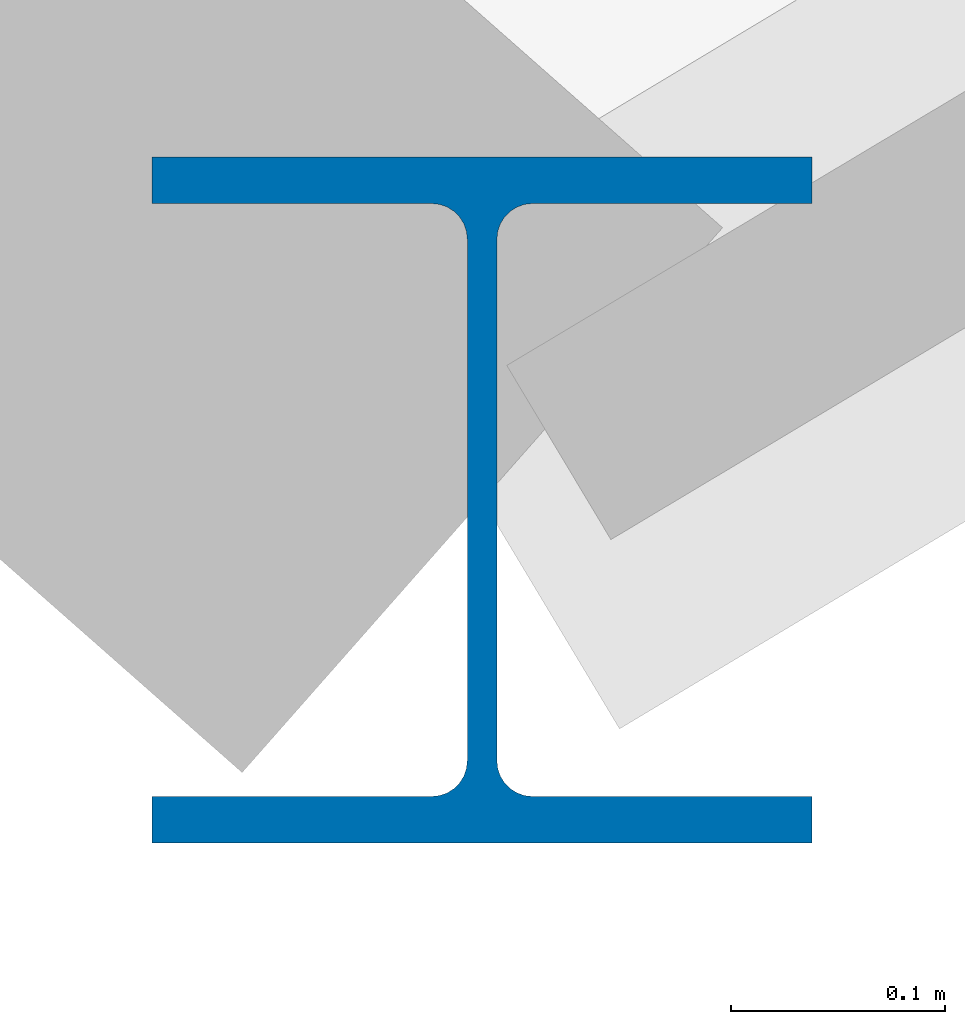
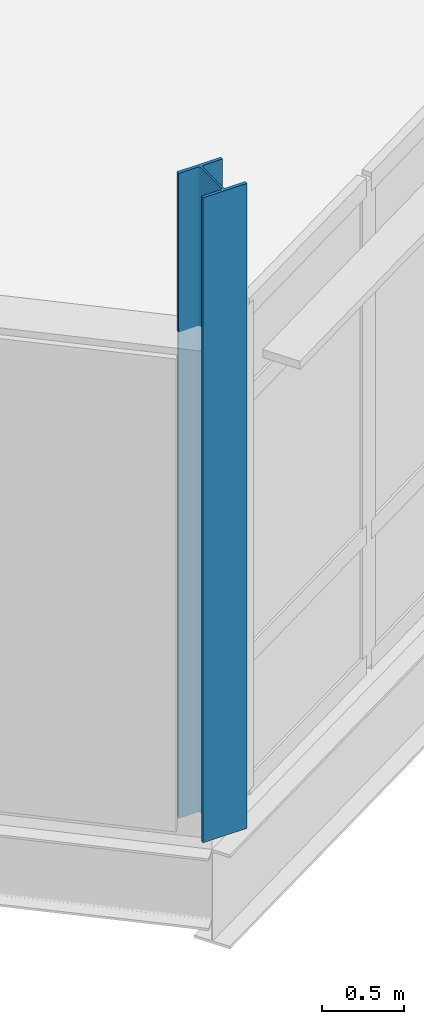
# One storey, part 6 of 76: 1 column.
"""IFC4 building model written with IfcOpenShell, lengths in metres."""

from ifc_helpers import new_model, si_unit, direction, frame, origin, origin_2d, place, context, subcontext, project, spatial, i_section, extrude, material, material_profile, profile_set, type_object, element, save


model = new_model("IFC4")

# Units and contexts
model_context = context("Model", 3, precision=1e-05, world=origin(), true_north=direction((0.0, 1.0)))
body_context = subcontext(model_context, "Body", "Model", "MODEL_VIEW")
ifc_project = project(units=[si_unit("LENGTHUNIT", "METRE"), si_unit("AREAUNIT", "SQUARE_METRE"), si_unit("VOLUMEUNIT", "CUBIC_METRE"), si_unit("PLANEANGLEUNIT", "RADIAN"), si_unit("MASSUNIT", "GRAM", prefix="KILO")], contexts=[model_context])

# Site, building, storey
site_placement = place(None, origin())
site = spatial("IfcSite", under=ifc_project, at=site_placement, CompositionType="ELEMENT")
building_placement = place(site_placement, origin())
building = spatial("IfcBuilding", under=site, at=building_placement, Name="Tameran Prism Museum", CompositionType="ELEMENT")
storey_placement = place(building_placement, frame((0.0, 0.0, 15.0)))
storey = spatial("IfcBuildingStorey", under=building, at=storey_placement, Name="L03", CompositionType="ELEMENT", Elevation=15.0)

# Column
ifc_material = material(Name="Steel Grade 350 (350 MPa)", Category="steel")
ifc_material_profile = material_profile(ifc_material, i_section(OverallWidth=0.30908203125, OverallDepth=0.321044921875, WebThickness=0.013916015625, FlangeThickness=0.021728515625, FilletRadius=0.0166015625, at=origin_2d()))
ifc_profile_set = profile_set([ifc_material_profile])
column_type = type_object("IfcColumnType", Name="COL-UC310B", PredefinedType="COLUMN", material=ifc_profile_set)
column_placement = place(storey_placement, frame((125.5, 63.89990234375, 0.0), z_axis=(0.0, 0.0, 1.0), x_axis=(1.0, 0.0, 0.0)))
element("IfcColumn", 1, at=column_placement, inside=storey, type_object=column_type, Name="Column CV-49 L03", PredefinedType="COLUMN", context=body_context, shape_type="SweptSolid", body=[
    extrude(i_section(OverallWidth=0.30908203125, OverallDepth=0.321044921875, WebThickness=0.013916015625, FlangeThickness=0.021728515625, FilletRadius=0.0166015625, at=origin_2d()), origin(), (0.0, 0.0, 1.0), 4.800048828125),
])

save(model, "model.ifc")
